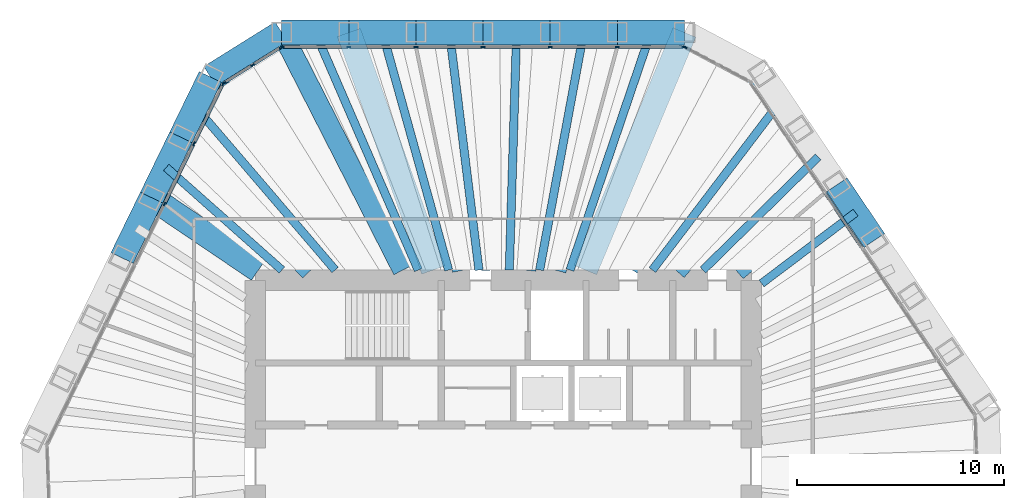
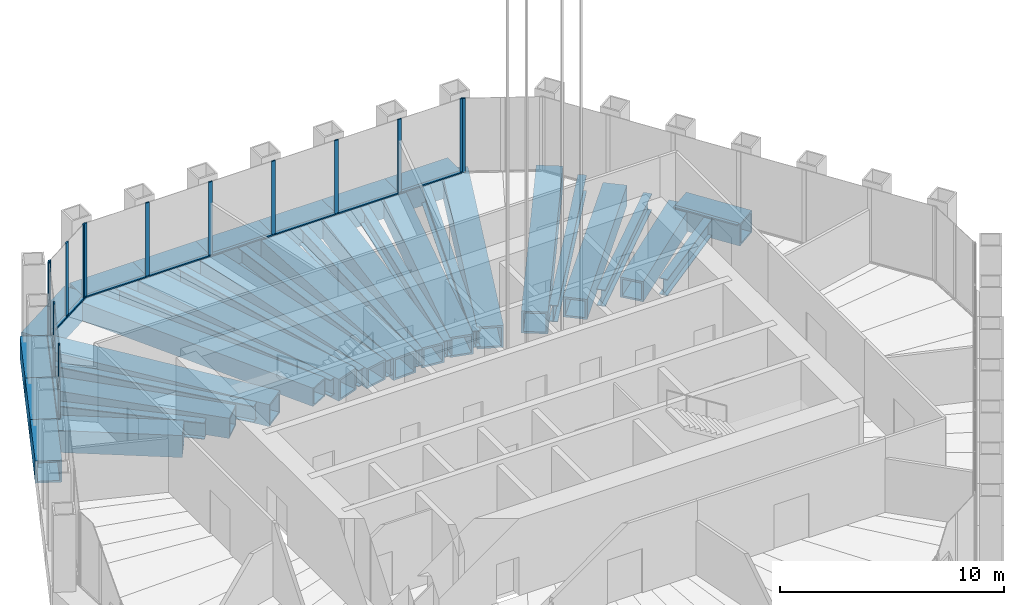
# One storey, part 7 of 19: 36 members, 24 beams, 5 elements without a shape of their own.
"""IFC4 building model written with IfcOpenShell, lengths in metres."""

from ifc_helpers import new_model, si_unit, direction, frame, origin, origin_2d, place, context, subcontext, project, spatial, rectangle, hollow_rectangle, i_section, extrude, material, material_profile, profile_set, type_object, element, aggregate, save


model = new_model("IFC4")

# Units and contexts
model_context = context("Model", 3, precision=1e-05, world=origin(), true_north=direction((0.0, 1.0)))
body_context = subcontext(model_context, "Body", "Model", "MODEL_VIEW")
ifc_project = project(units=[si_unit("LENGTHUNIT", "METRE"), si_unit("AREAUNIT", "SQUARE_METRE"), si_unit("VOLUMEUNIT", "CUBIC_METRE"), si_unit("PLANEANGLEUNIT", "RADIAN"), si_unit("MASSUNIT", "GRAM", prefix="KILO")], contexts=[model_context])

# Site, building, storey
site_placement = place(None, origin())
site = spatial("IfcSite", under=ifc_project, at=site_placement, CompositionType="ELEMENT")
building_placement = place(site_placement, origin())
building = spatial("IfcBuilding", under=site, at=building_placement, Name="Qingtian Harvest Tower", CompositionType="ELEMENT")
storey_placement = place(building_placement, frame((0.0, 0.0, 262.0)))
storey = spatial("IfcBuildingStorey", under=building, at=storey_placement, Name="L57", CompositionType="ELEMENT", Elevation=262.0)

# Members
ifc_material_1 = material(Name="Steel SM570MC", Category="steel")
ifc_material_profile_1 = material_profile(ifc_material_1, hollow_rectangle(XDim=1.199951171875, YDim=1.199951171875, WallThickness=0.10009765625, at=origin_2d()), Name="BOX1200x1200x100")
ifc_profile_set_1 = profile_set([ifc_material_profile_1], Name="Steel SM570MC")
member_type_1 = type_object("IfcMemberType", Name="Belt truss chord BC3 BOX1200x1200x100", PredefinedType="CHORD", material=ifc_profile_set_1)
member_1_placement = place(storey_placement, frame((-10.72216796875, 21.0, -0.60009765625), z_axis=(1.0, 0.0, 0.0), x_axis=(0.0, 1.0, 0.0)))
element("IfcMember", 1, at=member_1_placement, inside=storey, type_object=member_type_1, Name="Belt chord BC3 N0", PredefinedType="CHORD", context=body_context, shape_type="SweptSolid", body=[
    extrude(hollow_rectangle(XDim=1.199951171875, YDim=1.199951171875, WallThickness=0.10009765625, at=origin_2d()), origin(), (0.0, 0.0, 1.0), 3.248046875),
])
member_2_placement = place(storey_placement, frame((-7.47412109375, 21.0, -0.60009765625), z_axis=(1.0, 0.0, 0.0), x_axis=(0.0, 1.0, 0.0)))
element("IfcMember", 2, at=member_2_placement, inside=storey, type_object=member_type_1, Name="Belt chord BC3 N1", PredefinedType="CHORD", context=body_context, shape_type="SweptSolid", body=[
    extrude(hollow_rectangle(XDim=1.199951171875, YDim=1.199951171875, WallThickness=0.10009765625, at=origin_2d()), origin(), (0.0, 0.0, 1.0), 3.247802734375),
])
for number, where, z_axis, x_axis, name in (
    (3, (-4.226318359375, 21.0, -0.60009765625), (1.0, 0.0, 0.0), (0.0, 1.0, 0.0), "Belt chord BC3 N2"),
    (4, (-0.978271484375, 21.0, -0.60009765625), (1.0, 0.0, 0.0), (0.0, 1.0, 0.0), "Belt chord BC3 N3"),
    (5, (2.269775390625, 21.0, -0.60009765625), (1.0, 0.0, 0.0), (0.0, 1.0, 0.0), "Belt chord BC3 N4"),
    (6, (5.517822265625, 21.0, -0.60009765625), (1.0, 0.0, 0.0), (0.0, 1.0, 0.0), "Belt chord BC3 N5"),
):
    element("IfcMember", number, at=place(storey_placement, frame(where, z_axis=z_axis, x_axis=x_axis)), inside=storey, type_object=member_type_1, Name=name, PredefinedType="CHORD", context=body_context, shape_type="SweptSolid", body=[
        extrude(hollow_rectangle(XDim=1.199951171875, YDim=1.199951171875, WallThickness=0.10009765625, at=origin_2d()), origin(), (0.0, 0.0, 1.0), 3.248046875),
    ])
member_3_placement = place(storey_placement, frame((16.140625, 13.624755859375, -0.60009765625), z_axis=(0.559184924833, -0.829042954158, 0.0), x_axis=(0.829042954158, 0.559184924833, 0.0)))
element("IfcMember", 7, at=member_3_placement, inside=storey, type_object=member_type_1, Name="Belt chord BC3 NE2", PredefinedType="CHORD", context=body_context, shape_type="SweptSolid", body=[
    extrude(hollow_rectangle(XDim=1.199951171875, YDim=1.199951171875, WallThickness=0.10009765625, at=origin_2d()), origin(), (0.0, 0.0, 1.0), 3.247802734375),
])
member_4_placement = place(storey_placement, frame((-18.44580078125, 10.0849609375, -0.60009765625), z_axis=(0.438352548749, 0.898803116931, 0.0), x_axis=(-0.898803116931, 0.438352548749, 0.0)))
element("IfcMember", 8, at=member_4_placement, inside=storey, type_object=member_type_1, Name="Belt chord BC3 NW3", PredefinedType="CHORD", context=body_context, shape_type="SweptSolid", body=[
    extrude(hollow_rectangle(XDim=1.199951171875, YDim=1.199951171875, WallThickness=0.10009765625, at=origin_2d()), origin(), (0.0, 0.0, 1.0), 3.248046875),
])
for number, where, z_axis, x_axis, name in (
    (9, (-17.02197265625, 13.00439453125, -0.60009765625), (0.438382164311, 0.898788672611, 0.0), (-0.898788672611, 0.438382164311, 0.0), "Belt chord BC3 NW4"),
    (10, (-15.59814453125, 15.923583984375, -0.60009765625), (0.438382164311, 0.898788672611, 0.0), (-0.898788672611, 0.438382164311, 0.0), "Belt chord BC3 NW5"),
):
    element("IfcMember", number, at=place(storey_placement, frame(where, z_axis=z_axis, x_axis=x_axis)), inside=storey, type_object=member_type_1, Name=name, PredefinedType="CHORD", context=body_context, shape_type="SweptSolid", body=[
        extrude(hollow_rectangle(XDim=1.199951171875, YDim=1.199951171875, WallThickness=0.10009765625, at=origin_2d()), origin(), (0.0, 0.0, 1.0), 3.247802734375),
    ])
member_5_placement = place(storey_placement, frame((-14.17431640625, 18.8427734375, -0.60009765625), z_axis=(0.848038733752, 0.529934246919, 0.0), x_axis=(-0.529934246919, 0.848038733752, 0.0)))
element("IfcMember", 11, at=member_5_placement, inside=storey, type_object=member_type_1, Name="Belt chord BC3 NWC", PredefinedType="CHORD", context=body_context, shape_type="SweptSolid", body=[
    extrude(hollow_rectangle(XDim=1.199951171875, YDim=1.199951171875, WallThickness=0.10009765625, at=origin_2d()), origin(), (0.0, 0.0, 1.0), 4.07080078125),
])

# Beams
ifc_material_2 = material(Name="Steel SN490B", Category="steel")
ifc_material_profile_2 = material_profile(ifc_material_2, i_section(OverallWidth=0.39990234375, OverallDepth=0.89990234375, WebThickness=0.01904296875, FlangeThickness=0.035888671875, at=origin_2d()), Name="H900x400x19x36")
ifc_profile_set_2 = profile_set([ifc_material_profile_2], Name="Steel SN490B")
beam_type_1 = type_object("IfcBeamType", Name="Floor joist J4 H900x400x19x36", PredefinedType="JOIST", material=ifc_profile_set_2)
beam_1_placement = place(storey_placement, frame((-9.09814453125, 21.0, -0.6201171875), z_axis=(0.397529807491, -0.917589261138, 0.0), x_axis=(0.917589261138, 0.397529807491, 0.0)))
element("IfcBeam", 12, at=beam_1_placement, inside=storey, type_object=beam_type_1, Name="Floor joist J4 N0", PredefinedType="JOIST", context=body_context, shape_type="SweptSolid", body=[
    extrude(i_section(OverallWidth=0.39990234375, OverallDepth=0.89990234375, WebThickness=0.01904296875, FlangeThickness=0.035888671875, at=origin_2d()), origin(), (0.0, 0.0, 1.0), 12.532958984375),
])
beam_2_placement = place(storey_placement, frame((-5.85009765625, 21.0, -0.6201171875), z_axis=(0.268356818155, -0.963319582563, 0.0), x_axis=(0.963319582563, 0.268356818155, 0.0)))
element("IfcBeam", 13, at=beam_2_placement, inside=storey, type_object=beam_type_1, Name="Floor joist J4 N1", PredefinedType="JOIST", context=body_context, shape_type="SweptSolid", body=[
    extrude(i_section(OverallWidth=0.39990234375, OverallDepth=0.89990234375, WebThickness=0.01904296875, FlangeThickness=0.035888671875, at=origin_2d()), origin(), (0.0, 0.0, 1.0), 11.93798828125),
])
beam_3_placement = place(storey_placement, frame((-2.602294921875, 21.0, -0.6201171875), z_axis=(0.122976702395, -0.992409557929, 0.0), x_axis=(0.992409557929, 0.122976702395, 0.0)))
element("IfcBeam", 14, at=beam_3_placement, inside=storey, type_object=beam_type_1, Name="Floor joist J4 N2", PredefinedType="JOIST", context=body_context, shape_type="SweptSolid", body=[
    extrude(i_section(OverallWidth=0.39990234375, OverallDepth=0.89990234375, WebThickness=0.01904296875, FlangeThickness=0.035888671875, at=origin_2d()), origin(), (0.0, 0.0, 1.0), 11.587890625),
])
beam_4_placement = place(storey_placement, frame((0.645751953125, 21.0, -0.6201171875), z_axis=(-0.030725974878, -0.999527845769, 0.0), x_axis=(0.999527845769, -0.030725974878, 0.0)))
element("IfcBeam", 15, at=beam_4_placement, inside=storey, type_object=beam_type_1, Name="Floor joist J4 N3", PredefinedType="JOIST", context=body_context, shape_type="SweptSolid", body=[
    extrude(i_section(OverallWidth=0.39990234375, OverallDepth=0.89990234375, WebThickness=0.01904296875, FlangeThickness=0.035888671875, at=origin_2d()), origin(), (0.0, 0.0, 1.0), 11.50537109375),
])
beam_5_placement = place(storey_placement, frame((3.893798828125, 21.0, -0.6201171875), z_axis=(-0.182312001941, -0.983240730416, 0.0), x_axis=(0.983240730416, -0.182312001941, 0.0)))
element("IfcBeam", 16, at=beam_5_placement, inside=storey, type_object=beam_type_1, Name="Floor joist J4 N4", PredefinedType="JOIST", context=body_context, shape_type="SweptSolid", body=[
    extrude(i_section(OverallWidth=0.39990234375, OverallDepth=0.89990234375, WebThickness=0.01904296875, FlangeThickness=0.035888671875, at=origin_2d()), origin(), (0.0, 0.0, 1.0), 11.696044921875),
])
beam_6_placement = place(storey_placement, frame((7.141845703125, 21.0, -0.6201171875), z_axis=(-0.321968312345, -0.94675044539, 0.0), x_axis=(0.94675044539, -0.321968312345, 0.0)))
element("IfcBeam", 17, at=beam_6_placement, inside=storey, type_object=beam_type_1, Name="Floor joist J4 N5", PredefinedType="JOIST", context=body_context, shape_type="SweptSolid", body=[
    extrude(i_section(OverallWidth=0.39990234375, OverallDepth=0.89990234375, WebThickness=0.01904296875, FlangeThickness=0.035888671875, at=origin_2d()), origin(), (0.0, 0.0, 1.0), 12.146728515625),
])
beam_7_placement = place(storey_placement, frame((13.416015625, 17.6640625, -0.6201171875), z_axis=(-0.604835675798, -0.796350303122, 0.0), x_axis=(0.796350303122, -0.604835675798, 0.0)))
element("IfcBeam", 18, at=beam_7_placement, inside=storey, type_object=beam_type_1, Name="Floor joist J4 NE0", PredefinedType="JOIST", context=body_context, shape_type="SweptSolid", body=[
    extrude(i_section(OverallWidth=0.39990234375, OverallDepth=0.89990234375, WebThickness=0.01904296875, FlangeThickness=0.035888671875, at=origin_2d()), origin(), (0.0, 0.0, 1.0), 10.251953125),
])
beam_8_placement = place(storey_placement, frame((15.232421875, 14.97119140625, -0.6201171875), z_axis=(-0.713195408707, -0.700965269467, 0.0), x_axis=(0.700965269467, -0.713195408707, 0.0)))
element("IfcBeam", 19, at=beam_8_placement, inside=storey, type_object=beam_type_1, Name="Floor joist J4 NE1", PredefinedType="JOIST", context=body_context, shape_type="SweptSolid", body=[
    extrude(i_section(OverallWidth=0.39990234375, OverallDepth=0.89990234375, WebThickness=0.01904296875, FlangeThickness=0.035888671875, at=origin_2d()), origin(), (0.0, 0.0, 1.0), 7.80517578125),
])
beam_9_placement = place(storey_placement, frame((17.048583984375, 12.278564453125, -0.6201171875), z_axis=(-0.79856269076, -0.601911645448, 0.0), x_axis=(0.601911645448, -0.79856269076, 0.0)))
element("IfcBeam", 20, at=beam_9_placement, inside=storey, type_object=beam_type_1, Name="Floor joist J4 NE2", PredefinedType="JOIST", context=body_context, shape_type="SweptSolid", body=[
    extrude(i_section(OverallWidth=0.39990234375, OverallDepth=0.89990234375, WebThickness=0.01904296875, FlangeThickness=0.035888671875, at=origin_2d()), origin(), (0.0, 0.0, 1.0), 5.696044921875),
])
beam_10_placement = place(storey_placement, frame((-16.31005859375, 14.4638671875, -0.6201171875), z_axis=(0.748179407524, -0.663496476372, 0.0), x_axis=(0.663496476372, 0.748179407524, 0.0)))
element("IfcBeam", 21, at=beam_10_placement, inside=storey, type_object=beam_type_1, Name="Floor joist J4 NW4", PredefinedType="JOIST", context=body_context, shape_type="SweptSolid", body=[
    extrude(i_section(OverallWidth=0.39990234375, OverallDepth=0.89990234375, WebThickness=0.01904296875, FlangeThickness=0.035888671875, at=origin_2d()), origin(), (0.0, 0.0, 1.0), 7.4814453125),
])
beam_11_placement = place(storey_placement, frame((-14.88623046875, 17.38330078125, -0.6201171875), z_axis=(0.650436795804, -0.7595603825, 0.0), x_axis=(0.7595603825, 0.650436795804, 0.0)))
element("IfcBeam", 22, at=beam_11_placement, inside=storey, type_object=beam_type_1, Name="Floor joist J4 NW5", PredefinedType="JOIST", context=body_context, shape_type="SweptSolid", body=[
    extrude(i_section(OverallWidth=0.39990234375, OverallDepth=0.89990234375, WebThickness=0.01904296875, FlangeThickness=0.035888671875, at=origin_2d()), origin(), (0.0, 0.0, 1.0), 10.378662109375),
])

# Curtain wall, members
ifc_material_3 = material(Name="Bronze-anodised aluminium curtain wall", Category="aluminium")
curtain_wall_type = type_object("IfcCurtainWallType", Name="Curtain wall CW3 sky lobby", PredefinedType="USERDEFINED", material=ifc_material_3)
curtain_wall_1_placement = place(storey_placement, origin())
curtain_wall_1 = element("IfcCurtainWall", 23, at=curtain_wall_1_placement, inside=storey, type_object=curtain_wall_type, Name="Curtain wall CW3 L57 N0-5", ObjectType="RECESSED CURTAIN WALL", PredefinedType="USERDEFINED")
ifc_material_4 = material(Name="Bronze-anodised aluminium mullion", Category="aluminium")
ifc_material_profile_3 = material_profile(ifc_material_4, rectangle(XDim=0.06494140625, YDim=0.199951171875, at=origin_2d()), Name="AL 65x200")
ifc_profile_set_3 = profile_set([ifc_material_profile_3], Name="Bronze-anodised aluminium mullion")
member_type_2 = type_object("IfcMemberType", Name="Mullion CWM 65x200", PredefinedType="MULLION", material=ifc_profile_set_3)
member_6_placement = place(storey_placement, frame((-10.689697265625, 20.300048828125, 0.0), z_axis=(0.0, 0.0, 1.0), x_axis=(0.0, 1.0, 0.0)))
member_6 = element("IfcMember", 24, at=member_6_placement, type_object=member_type_2, Name="CW3 mullion 1", PredefinedType="MULLION", context=body_context, shape_type="SweptSolid", body=[
    extrude(rectangle(XDim=0.06494140625, YDim=0.199951171875, at=origin_2d()), origin(), (0.0, 0.0, 1.0), 4.030029296875),
])
member_7_placement = place(storey_placement, frame((-7.47412109375, 20.300048828125, 0.0), z_axis=(0.0, 0.0, 1.0), x_axis=(0.0, 1.0, 0.0)))
member_7 = element("IfcMember", 25, at=member_7_placement, type_object=member_type_2, Name="CW3 mullion 2", PredefinedType="MULLION", context=body_context, shape_type="SweptSolid", body=[
    extrude(rectangle(XDim=0.06494140625, YDim=0.199951171875, at=origin_2d()), origin(), (0.0, 0.0, 1.0), 4.030029296875),
])
member_8_placement = place(storey_placement, frame((-4.226318359375, 20.300048828125, 0.0), z_axis=(0.0, 0.0, 1.0), x_axis=(0.0, 1.0, 0.0)))
member_8 = element("IfcMember", 26, at=member_8_placement, type_object=member_type_2, Name="CW3 mullion 3", PredefinedType="MULLION", context=body_context, shape_type="SweptSolid", body=[
    extrude(rectangle(XDim=0.06494140625, YDim=0.199951171875, at=origin_2d()), origin(), (0.0, 0.0, 1.0), 4.030029296875),
])
member_9_placement = place(storey_placement, frame((-0.978271484375, 20.300048828125, 0.0), z_axis=(0.0, 0.0, 1.0), x_axis=(0.0, 1.0, 0.0)))
member_9 = element("IfcMember", 27, at=member_9_placement, type_object=member_type_2, Name="CW3 mullion 4", PredefinedType="MULLION", context=body_context, shape_type="SweptSolid", body=[
    extrude(rectangle(XDim=0.06494140625, YDim=0.199951171875, at=origin_2d()), origin(), (0.0, 0.0, 1.0), 4.030029296875),
])
member_10_placement = place(storey_placement, frame((2.269775390625, 20.300048828125, 0.0), z_axis=(0.0, 0.0, 1.0), x_axis=(0.0, 1.0, 0.0)))
member_10 = element("IfcMember", 28, at=member_10_placement, type_object=member_type_2, Name="CW3 mullion 5", PredefinedType="MULLION", context=body_context, shape_type="SweptSolid", body=[
    extrude(rectangle(XDim=0.06494140625, YDim=0.199951171875, at=origin_2d()), origin(), (0.0, 0.0, 1.0), 4.030029296875),
])
member_11_placement = place(storey_placement, frame((5.517822265625, 20.300048828125, 0.0), z_axis=(0.0, 0.0, 1.0), x_axis=(0.0, 1.0, 0.0)))
member_11 = element("IfcMember", 29, at=member_11_placement, type_object=member_type_2, Name="CW3 mullion 6", PredefinedType="MULLION", context=body_context, shape_type="SweptSolid", body=[
    extrude(rectangle(XDim=0.06494140625, YDim=0.199951171875, at=origin_2d()), origin(), (0.0, 0.0, 1.0), 4.030029296875),
])
member_12_placement = place(storey_placement, frame((8.7333984375, 20.300048828125, 0.0), z_axis=(0.0, 0.0, 1.0), x_axis=(0.0, 1.0, 0.0)))
member_12 = element("IfcMember", 30, at=member_12_placement, type_object=member_type_2, Name="CW3 mullion 7", PredefinedType="MULLION", context=body_context, shape_type="SweptSolid", body=[
    extrude(rectangle(XDim=0.06494140625, YDim=0.199951171875, at=origin_2d()), origin(), (0.0, 0.0, 1.0), 4.030029296875),
])

# Curtain wall, member
curtain_wall_2_placement = place(storey_placement, origin())
curtain_wall_2 = element("IfcCurtainWall", 31, at=curtain_wall_2_placement, inside=storey, type_object=curtain_wall_type, Name="Curtain wall CW3 L57 NC", ObjectType="RECESSED CURTAIN WALL", PredefinedType="USERDEFINED")
member_13_placement = place(storey_placement, frame((8.794677734375, 20.28466796875, 0.0), z_axis=(0.0, 0.0, 1.0), x_axis=(0.469471562786, 0.882947592859, 0.0)))
member_13 = element("IfcMember", 32, at=member_13_placement, type_object=member_type_2, Name="CW3 mullion 1", PredefinedType="MULLION", context=body_context, shape_type="SweptSolid", body=[
    extrude(rectangle(XDim=0.06494140625, YDim=0.199951171875, at=origin_2d()), origin(), (0.0, 0.0, 1.0), 4.030029296875),
])
aggregate(curtain_wall_2, [member_13])

# Curtain wall, members
curtain_wall_3_placement = place(storey_placement, origin())
curtain_wall_3 = element("IfcCurtainWall", 33, at=curtain_wall_3_placement, inside=storey, type_object=curtain_wall_type, Name="Curtain wall CW3 L57 NW0-5", ObjectType="RECESSED CURTAIN WALL", PredefinedType="USERDEFINED")
member_14_placement = place(storey_placement, frame((-16.392822265625, 12.697509765625, 0.0), z_axis=(0.0, 0.0, 1.0), x_axis=(-0.898794046299, 0.438371146789, 0.0)))
member_14 = element("IfcMember", 34, at=member_14_placement, type_object=member_type_2, Name="CW3 mullion 5", PredefinedType="MULLION", context=body_context, shape_type="SweptSolid", body=[
    extrude(rectangle(XDim=0.06494140625, YDim=0.199951171875, at=origin_2d()), origin(), (0.0, 0.0, 1.0), 4.030029296875),
])
member_15_placement = place(storey_placement, frame((-14.968994140625, 15.61669921875, 0.0), z_axis=(0.0, 0.0, 1.0), x_axis=(-0.898794046299, 0.438371146789, 0.0)))
member_15 = element("IfcMember", 35, at=member_15_placement, type_object=member_type_2, Name="CW3 mullion 6", PredefinedType="MULLION", context=body_context, shape_type="SweptSolid", body=[
    extrude(rectangle(XDim=0.06494140625, YDim=0.199951171875, at=origin_2d()), origin(), (0.0, 0.0, 1.0), 4.030029296875),
])
member_16_placement = place(storey_placement, frame((-13.559326171875, 18.5068359375, 0.0), z_axis=(0.0, 0.0, 1.0), x_axis=(-0.898794046299, 0.438371146789, 0.0)))
member_16 = element("IfcMember", 36, at=member_16_placement, type_object=member_type_2, Name="CW3 mullion 7", PredefinedType="MULLION", context=body_context, shape_type="SweptSolid", body=[
    extrude(rectangle(XDim=0.06494140625, YDim=0.199951171875, at=origin_2d()), origin(), (0.0, 0.0, 1.0), 4.030029296875),
])

curtain_wall_4_placement = place(storey_placement, origin())
curtain_wall_4 = element("IfcCurtainWall", 37, at=curtain_wall_4_placement, inside=storey, type_object=curtain_wall_type, Name="Curtain wall CW3 L57 NWC", ObjectType="RECESSED CURTAIN WALL", PredefinedType="USERDEFINED")
member_17_placement = place(storey_placement, frame((-13.517578125, 18.55322265625, 0.0), z_axis=(0.0, 0.0, 1.0), x_axis=(-0.529919264233, 0.848048096156, 0.0)))
member_17 = element("IfcMember", 38, at=member_17_placement, type_object=member_type_2, Name="CW3 mullion 1", PredefinedType="MULLION", context=body_context, shape_type="SweptSolid", body=[
    extrude(rectangle(XDim=0.06494140625, YDim=0.199951171875, at=origin_2d()), origin(), (0.0, 0.0, 1.0), 4.030029296875),
])
member_18_placement = place(storey_placement, frame((-12.1337890625, 19.41796875, 0.0), z_axis=(0.0, 0.0, 1.0), x_axis=(-0.529919264233, 0.848048096156, 0.0)))
member_18 = element("IfcMember", 39, at=member_18_placement, type_object=member_type_2, Name="CW3 mullion 2", PredefinedType="MULLION", context=body_context, shape_type="SweptSolid", body=[
    extrude(rectangle(XDim=0.06494140625, YDim=0.199951171875, at=origin_2d()), origin(), (0.0, 0.0, 1.0), 4.030029296875),
])
member_19_placement = place(storey_placement, frame((-10.749755859375, 20.28271484375, 0.0), z_axis=(0.0, 0.0, 1.0), x_axis=(-0.529919264233, 0.848048096156, 0.0)))
member_19 = element("IfcMember", 40, at=member_19_placement, type_object=member_type_2, Name="CW3 mullion 3", PredefinedType="MULLION", context=body_context, shape_type="SweptSolid", body=[
    extrude(rectangle(XDim=0.06494140625, YDim=0.199951171875, at=origin_2d()), origin(), (0.0, 0.0, 1.0), 4.030029296875),
])

# Beams
ifc_material_5 = material(Name="Steel SM570MC", Category="steel")
ifc_material_profile_4 = material_profile(ifc_material_5, hollow_rectangle(XDim=1.199951171875, YDim=1.199951171875, WallThickness=0.10009765625, at=origin_2d()), Name="BOX1200x1200x100")
ifc_profile_set_4 = profile_set([ifc_material_profile_4], Name="Steel SM570MC")
beam_type_2 = type_object("IfcBeamType", Name="Outrigger chord beam OC2 BOX1200x1200x100", PredefinedType="BEAM", material=ifc_profile_set_4)
beam_12_placement = place(storey_placement, frame((-7.47412109375, 21.0, -0.77001953125), z_axis=(0.335309922571, -0.94210787908, 0.0), x_axis=(0.94210787908, 0.335309922571, 0.0)))
element("IfcBeam", 41, at=beam_12_placement, inside=storey, type_object=beam_type_2, Name="Floor beam OC2 N1", PredefinedType="BEAM", context=body_context, shape_type="SweptSolid", body=[
    extrude(hollow_rectangle(XDim=1.199951171875, YDim=1.199951171875, WallThickness=0.10009765625, at=origin_2d()), origin(), (0.0, 0.0, 1.0), 12.206787109375),
])
beam_13_placement = place(storey_placement, frame((-0.978271484375, 21.0, -0.77001953125), z_axis=(0.046527342366, -0.99891701678, 0.0), x_axis=(0.99891701678, 0.046527342366, 0.0)))
element("IfcBeam", 42, at=beam_13_placement, inside=storey, type_object=beam_type_2, Name="Floor beam OC2 N3", PredefinedType="BEAM", context=body_context, shape_type="SweptSolid", body=[
    extrude(hollow_rectangle(XDim=1.199951171875, YDim=1.199951171875, WallThickness=0.10009765625, at=origin_2d()), origin(), (0.0, 0.0, 1.0), 11.512451171875),
])
beam_14_placement = place(storey_placement, frame((8.765869140625, 21.0, -0.77001953125), z_axis=(-0.385205133264, -0.922830973313, 0.0), x_axis=(0.922830973313, -0.385205133264, 0.0)))
element("IfcBeam", 43, at=beam_14_placement, inside=storey, type_object=beam_type_2, Name="Floor beam OC2 N6", PredefinedType="BEAM", context=body_context, shape_type="SweptSolid", body=[
    extrude(hollow_rectangle(XDim=1.199951171875, YDim=1.199951171875, WallThickness=0.10009765625, at=origin_2d()), origin(), (0.0, 0.0, 1.0), 12.461669921875),
])
beam_15_placement = place(storey_placement, frame((12.508056640625, 19.01025390625, -0.77001953125), z_axis=(-0.549666916329, -0.835383912398, 0.0), x_axis=(0.835383912398, -0.549666916329, 0.0)))
element("IfcBeam", 44, at=beam_15_placement, inside=storey, type_object=beam_type_2, Name="Floor beam OC2 NE0", PredefinedType="BEAM", context=body_context, shape_type="SweptSolid", body=[
    extrude(hollow_rectangle(XDim=1.199951171875, YDim=1.199951171875, WallThickness=0.10009765625, at=origin_2d()), origin(), (0.0, 0.0, 1.0), 11.38427734375),
])
beam_16_placement = place(storey_placement, frame((-17.02197265625, 13.00439453125, -0.77001953125), z_axis=(0.827854296295, -0.560943191514, 0.0), x_axis=(0.560943191514, 0.827854296295, 0.0)))
element("IfcBeam", 45, at=beam_16_placement, inside=storey, type_object=beam_type_2, Name="Floor beam OC2 NW4", PredefinedType="BEAM", context=body_context, shape_type="SweptSolid", body=[
    extrude(hollow_rectangle(XDim=1.199951171875, YDim=1.199951171875, WallThickness=0.10009765625, at=origin_2d()), origin(), (0.0, 0.0, 1.0), 6.247314453125),
])
beam_17_placement = place(storey_placement, frame((-14.17431640625, 18.8427734375, -0.77001953125), z_axis=(0.601148761641, -0.799137138655, 0.0), x_axis=(0.799137138655, 0.601148761641, 0.0)))
element("IfcBeam", 46, at=beam_17_placement, inside=storey, type_object=beam_type_2, Name="Floor beam OC2 NW6", PredefinedType="BEAM", context=body_context, shape_type="SweptSolid", body=[
    extrude(hollow_rectangle(XDim=1.199951171875, YDim=1.199951171875, WallThickness=0.10009765625, at=origin_2d()), origin(), (0.0, 0.0, 1.0), 11.691162109375),
])
ifc_material_6 = material(Name="Steel SM570MC", Category="steel")
ifc_material_profile_5 = material_profile(ifc_material_6, hollow_rectangle(XDim=1.0, YDim=1.0, WallThickness=0.080078125, at=origin_2d()), Name="BOX1000x1000x80")
ifc_profile_set_5 = profile_set([ifc_material_profile_5], Name="Steel SM570MC")
beam_type_3 = type_object("IfcBeamType", Name="Transfer corner beam FB11 BOX1000x1000x80", PredefinedType="BEAM", material=ifc_profile_set_5)
beam_18_placement = place(storey_placement, frame((-10.72216796875, 21.0, -0.669921875), z_axis=(0.454730568944, -0.890629052787, 0.0), x_axis=(0.890629052787, 0.454730568944, 0.0)))
element("IfcBeam", 47, at=beam_18_placement, inside=storey, type_object=beam_type_3, Name="Floor beam FB11 N0", PredefinedType="BEAM", context=body_context, shape_type="SweptSolid", body=[
    extrude(hollow_rectangle(XDim=1.0, YDim=1.0, WallThickness=0.080078125, at=origin_2d()), origin(), (0.0, 0.0, 1.0), 12.912109375),
])
ifc_material_7 = material(Name="Steel SM570MC", Category="steel")
ifc_material_profile_6 = material_profile(ifc_material_7, hollow_rectangle(XDim=1.10009765625, YDim=1.10009765625, WallThickness=0.10009765625, at=origin_2d()), Name="BOX1100x1100x100")
ifc_profile_set_6 = profile_set([ifc_material_profile_6], Name="Steel SM570MC")
beam_type_4 = type_object("IfcBeamType", Name="Transfer floor beam FB9 BOX1100x1100x100", PredefinedType="BEAM", material=ifc_profile_set_6)
beam_19_placement = place(storey_placement, frame((-4.226318359375, 21.0, -0.719970703125), z_axis=(0.197300692693, -0.980343019898, 0.0), x_axis=(0.980343019898, 0.197300692693, 0.0)))
element("IfcBeam", 48, at=beam_19_placement, inside=storey, type_object=beam_type_4, Name="Floor beam FB9 N2", PredefinedType="BEAM", context=body_context, shape_type="SweptSolid", body=[
    extrude(hollow_rectangle(XDim=1.10009765625, YDim=1.10009765625, WallThickness=0.10009765625, at=origin_2d()), origin(), (0.0, 0.0, 1.0), 11.73046875),
])
beam_20_placement = place(storey_placement, frame((2.269775390625, 21.0, -0.719970703125), z_axis=(-0.107454213734, -0.994210034123, 0.0), x_axis=(0.994210034123, -0.107454213734, 0.0)))
element("IfcBeam", 49, at=beam_20_placement, inside=storey, type_object=beam_type_4, Name="Floor beam FB9 N4", PredefinedType="BEAM", context=body_context, shape_type="SweptSolid", body=[
    extrude(hollow_rectangle(XDim=1.10009765625, YDim=1.10009765625, WallThickness=0.10009765625, at=origin_2d()), origin(), (0.0, 0.0, 1.0), 11.56689453125),
])
beam_21_placement = place(storey_placement, frame((5.517822265625, 21.0, -0.719970703125), z_axis=(-0.254132470973, -0.967169420111, 0.0), x_axis=(0.967169420111, -0.254132470973, 0.0)))
element("IfcBeam", 50, at=beam_21_placement, inside=storey, type_object=beam_type_4, Name="Floor beam FB9 N5", PredefinedType="BEAM", context=body_context, shape_type="SweptSolid", body=[
    extrude(hollow_rectangle(XDim=1.10009765625, YDim=1.10009765625, WallThickness=0.10009765625, at=origin_2d()), origin(), (0.0, 0.0, 1.0), 11.890380859375),
])
beam_22_placement = place(storey_placement, frame((14.32421875, 16.317626953125, -0.719970703125), z_axis=(-0.659702205655, -0.751527111856, 0.0), x_axis=(0.751527111856, -0.659702205655, 0.0)))
element("IfcBeam", 51, at=beam_22_placement, inside=storey, type_object=beam_type_4, Name="Floor beam FB9 NE1", PredefinedType="BEAM", context=body_context, shape_type="SweptSolid", body=[
    extrude(hollow_rectangle(XDim=1.10009765625, YDim=1.10009765625, WallThickness=0.10009765625, at=origin_2d()), origin(), (0.0, 0.0, 1.0), 9.07177734375),
])
beam_23_placement = place(storey_placement, frame((16.140625, 13.624755859375, -0.719970703125), z_axis=(-0.764153276603, -0.645034704382, 0.0), x_axis=(0.645034704382, -0.764153276603, 0.0)))
element("IfcBeam", 52, at=beam_23_placement, inside=storey, type_object=beam_type_4, Name="Floor beam FB9 NE2", PredefinedType="BEAM", context=body_context, shape_type="SweptSolid", body=[
    extrude(hollow_rectangle(XDim=1.10009765625, YDim=1.10009765625, WallThickness=0.10009765625, at=origin_2d()), origin(), (0.0, 0.0, 1.0), 6.39453125),
])
beam_24_placement = place(storey_placement, frame((-15.59814453125, 15.923583984375, -0.719970703125), z_axis=(0.699765413715, -0.714372707883, 0.0), x_axis=(0.714372707883, 0.699765413715, 0.0)))
element("IfcBeam", 53, at=beam_24_placement, inside=storey, type_object=beam_type_4, Name="Floor beam FB9 NW5", PredefinedType="BEAM", context=body_context, shape_type="SweptSolid", body=[
    extrude(hollow_rectangle(XDim=1.10009765625, YDim=1.10009765625, WallThickness=0.10009765625, at=origin_2d()), origin(), (0.0, 0.0, 1.0), 8.991943359375),
])

# Member
ifc_material_8 = material(Name="Bronze-anodised aluminium transom", Category="aluminium")
ifc_material_profile_7 = material_profile(ifc_material_8, rectangle(XDim=0.14990234375, YDim=0.06494140625, at=origin_2d()), Name="AL 65x150")
ifc_profile_set_7 = profile_set([ifc_material_profile_7], Name="Bronze-anodised aluminium transom")
member_type_3 = type_object("IfcMemberType", Name="Transom CWT 65x150", PredefinedType="USERDEFINED", material=ifc_profile_set_7)
member_20_placement = place(storey_placement, frame((-10.6572265625, 20.300048828125, 0.032470703125), z_axis=(1.0, 0.0, 0.0), x_axis=(0.0, 1.0, 0.0)))
member_20 = element("IfcMember", 54, at=member_20_placement, type_object=member_type_3, Name="CW3 transom 1.1", ObjectType="TRANSOM", PredefinedType="USERDEFINED", context=body_context, shape_type="SweptSolid", body=[
    extrude(rectangle(XDim=0.14990234375, YDim=0.06494140625, at=origin_2d()), origin(), (0.0, 0.0, 1.0), 3.150390625),
])

member_21_placement = place(storey_placement, frame((-7.441650390625, 20.300048828125, 0.032470703125), z_axis=(1.0, 0.0, 0.0), x_axis=(0.0, 1.0, 0.0)))
member_21 = element("IfcMember", 55, at=member_21_placement, type_object=member_type_3, Name="CW3 transom 2.1", ObjectType="TRANSOM", PredefinedType="USERDEFINED", context=body_context, shape_type="SweptSolid", body=[
    extrude(rectangle(XDim=0.14990234375, YDim=0.06494140625, at=origin_2d()), origin(), (0.0, 0.0, 1.0), 3.182861328125),
])

member_22_placement = place(storey_placement, frame((-4.193603515625, 20.300048828125, 0.032470703125), z_axis=(1.0, 0.0, 0.0), x_axis=(0.0, 1.0, 0.0)))
member_22 = element("IfcMember", 56, at=member_22_placement, type_object=member_type_3, Name="CW3 transom 3.1", ObjectType="TRANSOM", PredefinedType="USERDEFINED", context=body_context, shape_type="SweptSolid", body=[
    extrude(rectangle(XDim=0.14990234375, YDim=0.06494140625, at=origin_2d()), origin(), (0.0, 0.0, 1.0), 3.182861328125),
])

member_23_placement = place(storey_placement, frame((-0.94580078125, 20.300048828125, 0.032470703125), z_axis=(1.0, 0.0, 0.0), x_axis=(0.0, 1.0, 0.0)))
member_23 = element("IfcMember", 57, at=member_23_placement, type_object=member_type_3, Name="CW3 transom 4.1", ObjectType="TRANSOM", PredefinedType="USERDEFINED", context=body_context, shape_type="SweptSolid", body=[
    extrude(rectangle(XDim=0.14990234375, YDim=0.06494140625, at=origin_2d()), origin(), (0.0, 0.0, 1.0), 3.18310546875),
])

member_24_placement = place(storey_placement, frame((2.30224609375, 20.300048828125, 0.032470703125), z_axis=(1.0, 0.0, 0.0), x_axis=(0.0, 1.0, 0.0)))
member_24 = element("IfcMember", 58, at=member_24_placement, type_object=member_type_3, Name="CW3 transom 5.1", ObjectType="TRANSOM", PredefinedType="USERDEFINED", context=body_context, shape_type="SweptSolid", body=[
    extrude(rectangle(XDim=0.14990234375, YDim=0.06494140625, at=origin_2d()), origin(), (0.0, 0.0, 1.0), 3.18310546875),
])

member_25_placement = place(storey_placement, frame((5.55029296875, 20.300048828125, 0.032470703125), z_axis=(1.0, 0.0, 0.0), x_axis=(0.0, 1.0, 0.0)))
member_25 = element("IfcMember", 59, at=member_25_placement, type_object=member_type_3, Name="CW3 transom 6.1", ObjectType="TRANSOM", PredefinedType="USERDEFINED", context=body_context, shape_type="SweptSolid", body=[
    extrude(rectangle(XDim=0.14990234375, YDim=0.06494140625, at=origin_2d()), origin(), (0.0, 0.0, 1.0), 3.150634765625),
])

aggregate(curtain_wall_1, [member_6, member_7, member_8, member_9, member_10, member_11, member_12, member_20, member_21, member_22, member_23, member_24, member_25])

# Curtain wall, member
curtain_wall_5_placement = place(storey_placement, origin())
curtain_wall_5 = element("IfcCurtainWall", 60, at=curtain_wall_5_placement, inside=storey, type_object=curtain_wall_type, Name="Curtain wall CW3 L57 NE0-5", ObjectType="RECESSED CURTAIN WALL", PredefinedType="USERDEFINED")
member_26_placement = place(storey_placement, frame((15.578369140625, 13.20654296875, 0.032470703125), z_axis=(0.55920542009, -0.829029129852, 0.0), x_axis=(0.829029129852, 0.55920542009, 0.0)))
member_26 = element("IfcMember", 61, at=member_26_placement, type_object=member_type_3, Name="CW3 transom 3.1", ObjectType="TRANSOM", PredefinedType="USERDEFINED", context=body_context, shape_type="SweptSolid", body=[
    extrude(rectangle(XDim=0.14990234375, YDim=0.06494140625, at=origin_2d()), origin(), (0.0, 0.0, 1.0), 3.18310546875),
])
aggregate(curtain_wall_5, [member_26])

# Member
member_27_placement = place(storey_placement, frame((-16.378662109375, 12.7265625, 0.032470703125), z_axis=(0.438355626738, 0.898801615768, 0.0), x_axis=(-0.898801615768, 0.438355626738, 0.0)))
member_27 = element("IfcMember", 62, at=member_27_placement, type_object=member_type_3, Name="CW3 transom 5.1", ObjectType="TRANSOM", PredefinedType="USERDEFINED", context=body_context, shape_type="SweptSolid", body=[
    extrude(rectangle(XDim=0.14990234375, YDim=0.06494140625, at=origin_2d()), origin(), (0.0, 0.0, 1.0), 3.182861328125),
])

member_28_placement = place(storey_placement, frame((-14.954833984375, 15.64599609375, 0.032470703125), z_axis=(0.438388515075, 0.898785575012, 0.0), x_axis=(-0.898785575012, 0.438388515075, 0.0)))
member_28 = element("IfcMember", 63, at=member_28_placement, type_object=member_type_3, Name="CW3 transom 6.1", ObjectType="TRANSOM", PredefinedType="USERDEFINED", context=body_context, shape_type="SweptSolid", body=[
    extrude(rectangle(XDim=0.14990234375, YDim=0.06494140625, at=origin_2d()), origin(), (0.0, 0.0, 1.0), 3.150390625),
])

aggregate(curtain_wall_3, [member_14, member_15, member_16, member_27, member_28])

member_29_placement = place(storey_placement, frame((-13.489990234375, 18.570556640625, 0.032470703125), z_axis=(0.848015812303, 0.529970925697, 0.0), x_axis=(-0.529970925697, 0.848015812303, 0.0)))
member_29 = element("IfcMember", 64, at=member_29_placement, type_object=member_type_3, Name="CW3 transom 1.1", ObjectType="TRANSOM", PredefinedType="USERDEFINED", context=body_context, shape_type="SweptSolid", body=[
    extrude(rectangle(XDim=0.14990234375, YDim=0.06494140625, at=origin_2d()), origin(), (0.0, 0.0, 1.0), 1.566650390625),
])

member_30_placement = place(storey_placement, frame((-12.106201171875, 19.435302734375, 0.032470703125), z_axis=(0.848059570903, 0.529900900357, 0.0), x_axis=(-0.529900900357, 0.848059570903, 0.0)))
member_30 = element("IfcMember", 65, at=member_30_placement, type_object=member_type_3, Name="CW3 transom 2.1", ObjectType="TRANSOM", PredefinedType="USERDEFINED", context=body_context, shape_type="SweptSolid", body=[
    extrude(rectangle(XDim=0.14990234375, YDim=0.06494140625, at=origin_2d()), origin(), (0.0, 0.0, 1.0), 1.56689453125),
])

aggregate(curtain_wall_4, [member_17, member_18, member_19, member_29, member_30])

save(model, "model.ifc")
